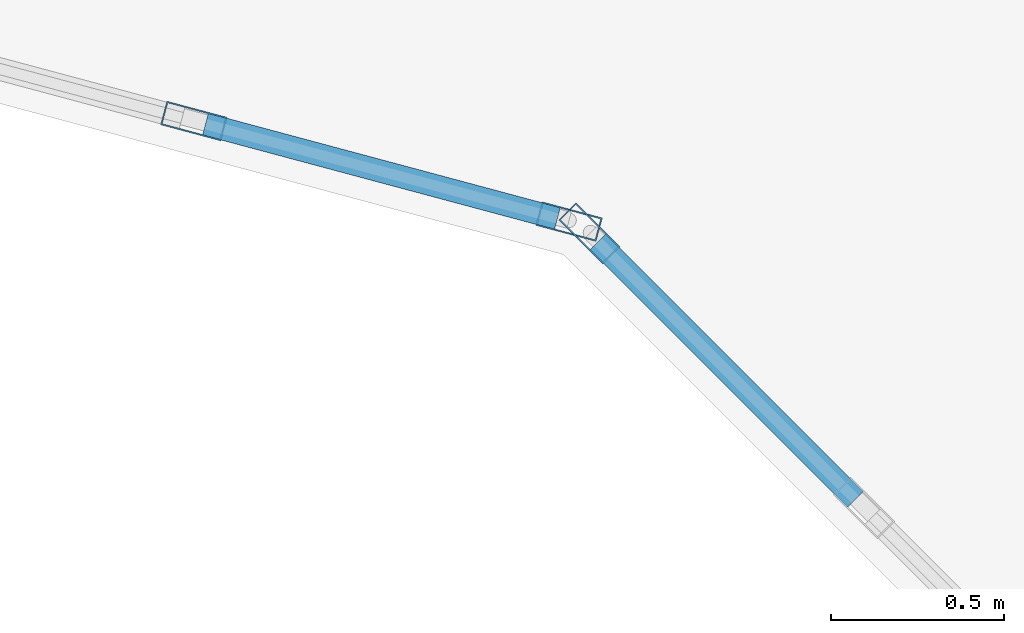
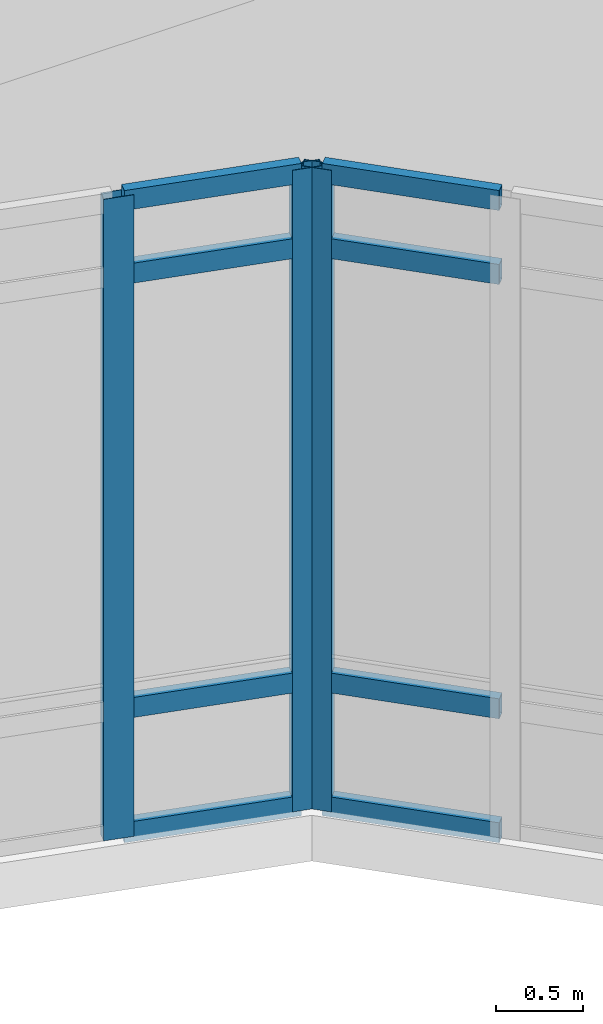
# One storey, part 25 of 138: 11 members, 2 elements without a shape of their own.
"""IFC4 building model written with IfcOpenShell, lengths in metres."""

from ifc_helpers import new_model, si_unit, direction, frame, origin, origin_2d, place, context, subcontext, project, spatial, hollow_rectangle, extrude, material, layer, layer_set, material_profile, profile_set, type_object, element, aggregate, save


model = new_model("IFC4")

# Units and contexts
model_context = context("Model", 3, precision=1e-05, world=origin(), true_north=direction((0.0, 1.0)))
body_context = subcontext(model_context, "Body", "Model", "MODEL_VIEW")
ifc_project = project(units=[si_unit("LENGTHUNIT", "METRE"), si_unit("AREAUNIT", "SQUARE_METRE"), si_unit("VOLUMEUNIT", "CUBIC_METRE"), si_unit("PLANEANGLEUNIT", "RADIAN"), si_unit("MASSUNIT", "GRAM", prefix="KILO")], contexts=[model_context])

# Site, building, storey
site_placement = place(None, origin())
site = spatial("IfcSite", under=ifc_project, at=site_placement, CompositionType="ELEMENT")
building_placement = place(site_placement, origin())
building = spatial("IfcBuilding", under=site, at=building_placement, Name="Bramfleet General Hospital", CompositionType="ELEMENT")
storey_placement = place(building_placement, origin())
storey = spatial("IfcBuildingStorey", under=building, at=storey_placement, Name="L00", CompositionType="ELEMENT", Elevation=0.0)

# Curtain wall, member
ifc_material_1 = material(Name="Anodised aluminium and low-E triple glazing", Category="aluminium")
ifc_layer_1 = layer(ifc_material_1, 0.179931640625, Name="CWT-CW-12")
ifc_layer_set_1 = layer_set([ifc_layer_1], Name="Anodised aluminium and low-E triple glazing")
curtain_wall_type_1 = type_object("IfcCurtainWallType", Name="CWT-CW-12", PredefinedType="USERDEFINED", material=ifc_layer_set_1)
curtain_wall_1_placement = place(storey_placement, origin())
curtain_wall_1 = element("IfcCurtainWall", 1, at=curtain_wall_1_placement, inside=storey, type_object=curtain_wall_type_1, Name="L00 West Clinical Light Court Curtain Wall 8.1", ObjectType="Stick curtain wall", PredefinedType="USERDEFINED")
ifc_material_2 = material(Name="Anodised aluminium EN AW-6060", Category="aluminium")
ifc_material_profile_1 = material_profile(ifc_material_2, hollow_rectangle(XDim=0.070068359375, YDim=0.179931640625, WallThickness=0.00390625, at=origin_2d()), Name="ALU 180x70x4.0")
ifc_profile_set_1 = profile_set([ifc_material_profile_1], Name="Anodised aluminium EN AW-6060")
member_type_1 = type_object("IfcMemberType", Name="CWM-ALU180", PredefinedType="MULLION", material=ifc_profile_set_1)
member_1_placement = place(storey_placement, frame((28.57470703125, 89.77734375, 0.0), z_axis=(0.0, 0.0, 1.0), x_axis=(-0.707106781187, -0.707106781187, 0.0)))
member_1 = element("IfcMember", 2, at=member_1_placement, type_object=member_type_1, Name="CW-12 mullion 4", PredefinedType="MULLION", context=body_context, shape_type="SweptSolid", body=[
    extrude(hollow_rectangle(XDim=0.070068359375, YDim=0.179931640625, WallThickness=0.00390625, at=origin_2d()), origin(), (0.0, 0.0, 1.0), 4.489990234375),
])

# Curtain wall, members
ifc_layer_2 = layer(ifc_material_1, 0.179931640625, Name="CWT-CW-13")
ifc_layer_set_2 = layer_set([ifc_layer_2], Name="Anodised aluminium and low-E triple glazing")
curtain_wall_type_2 = type_object("IfcCurtainWallType", Name="CWT-CW-13", PredefinedType="USERDEFINED", material=ifc_layer_set_2)
curtain_wall_2_placement = place(storey_placement, origin())
curtain_wall_2 = element("IfcCurtainWall", 3, at=curtain_wall_2_placement, inside=storey, type_object=curtain_wall_type_2, Name="L00 West Clinical Light Court Curtain Wall 9.1", ObjectType="Stick curtain wall", PredefinedType="USERDEFINED")
member_2_placement = place(storey_placement, frame((28.51611328125, 89.81103515625, 0.0), z_axis=(0.0, 0.0, 1.0), x_axis=(-0.25891863407, -0.965899136003, 0.0)))
member_2 = element("IfcMember", 4, at=member_2_placement, type_object=member_type_1, Name="CW-13 mullion 1", PredefinedType="MULLION", context=body_context, shape_type="SweptSolid", body=[
    extrude(hollow_rectangle(XDim=0.070068359375, YDim=0.179931640625, WallThickness=0.00390625, at=origin_2d()), origin(), (0.0, 0.0, 1.0), 4.489990234375),
])
member_3_placement = place(storey_placement, frame((27.433349609375, 90.101318359375, 0.0), z_axis=(0.0, 0.0, 1.0), x_axis=(-0.25891863407, -0.965899136003, 0.0)))
member_3 = element("IfcMember", 5, at=member_3_placement, type_object=member_type_1, Name="CW-13 mullion 2", PredefinedType="MULLION", context=body_context, shape_type="SweptSolid", body=[
    extrude(hollow_rectangle(XDim=0.070068359375, YDim=0.179931640625, WallThickness=0.00390625, at=origin_2d()), origin(), (0.0, 0.0, 1.0), 4.489990234375),
])

# Member
ifc_material_profile_2 = material_profile(ifc_material_2, hollow_rectangle(XDim=0.06494140625, YDim=0.139892578125, WallThickness=0.00390625, at=origin_2d()), Name="ALU 140x65x4.0")
ifc_profile_set_2 = profile_set([ifc_material_profile_2], Name="Anodised aluminium EN AW-6060")
member_type_2 = type_object("IfcMemberType", Name="CWT-ALU140", PredefinedType="USERDEFINED", material=ifc_profile_set_2)
member_4_placement = place(storey_placement, frame((29.342529296875, 89.009521484375, 0.032470703125), z_axis=(-0.707106781187, 0.707106781187, 0.0), x_axis=(-0.707106781187, -0.707106781187, 0.0)))
member_4 = element("IfcMember", 6, at=member_4_placement, type_object=member_type_2, Name="CW-12 transom 3.1", ObjectType="TRANSOM", PredefinedType="USERDEFINED", context=body_context, shape_type="SweptSolid", body=[
    extrude(hollow_rectangle(XDim=0.06494140625, YDim=0.139892578125, WallThickness=0.00390625, at=origin_2d()), origin(), (0.0, 0.0, 1.0), 1.050537109375),
])

member_5_placement = place(storey_placement, frame((29.342529296875, 89.009521484375, 0.89990234375), z_axis=(-0.707106781187, 0.707106781187, 0.0), x_axis=(-0.707106781187, -0.707106781187, 0.0)))
member_5 = element("IfcMember", 7, at=member_5_placement, type_object=member_type_2, Name="CW-12 transom 3.2", ObjectType="TRANSOM", PredefinedType="USERDEFINED", context=body_context, shape_type="SweptSolid", body=[
    extrude(hollow_rectangle(XDim=0.06494140625, YDim=0.139892578125, WallThickness=0.00390625, at=origin_2d()), origin(), (0.0, 0.0, 1.0), 1.050537109375),
])

member_6_placement = place(storey_placement, frame((29.342529296875, 89.009521484375, 3.93994140625), z_axis=(-0.707106781187, 0.707106781187, 0.0), x_axis=(-0.707106781187, -0.707106781187, 0.0)))
member_6 = element("IfcMember", 8, at=member_6_placement, type_object=member_type_2, Name="CW-12 transom 3.3", ObjectType="TRANSOM", PredefinedType="USERDEFINED", context=body_context, shape_type="SweptSolid", body=[
    extrude(hollow_rectangle(XDim=0.06494140625, YDim=0.139892578125, WallThickness=0.00390625, at=origin_2d()), origin(), (0.0, 0.0, 1.0), 1.050537109375),
])

member_7_placement = place(storey_placement, frame((29.342529296875, 89.009521484375, 4.45751953125), z_axis=(-0.707106781187, 0.707106781187, 0.0), x_axis=(-0.707106781187, -0.707106781187, 0.0)))
member_7 = element("IfcMember", 9, at=member_7_placement, type_object=member_type_2, Name="CW-12 transom 3.4", ObjectType="TRANSOM", PredefinedType="USERDEFINED", context=body_context, shape_type="SweptSolid", body=[
    extrude(hollow_rectangle(XDim=0.06494140625, YDim=0.139892578125, WallThickness=0.00390625, at=origin_2d()), origin(), (0.0, 0.0, 1.0), 1.050537109375),
])

aggregate(curtain_wall_1, [member_1, member_4, member_5, member_6, member_7])

member_8_placement = place(storey_placement, frame((28.482421875, 89.820068359375, 0.032470703125), z_axis=(-0.965891021523, 0.258948903342, 0.0), x_axis=(-0.258948903342, -0.965891021523, 0.0)))
member_8 = element("IfcMember", 10, at=member_8_placement, type_object=member_type_2, Name="CW-13 transom 1.1", ObjectType="TRANSOM", PredefinedType="USERDEFINED", context=body_context, shape_type="SweptSolid", body=[
    extrude(hollow_rectangle(XDim=0.06494140625, YDim=0.139892578125, WallThickness=0.00390625, at=origin_2d()), origin(), (0.0, 0.0, 1.0), 1.05126953125),
])

member_9_placement = place(storey_placement, frame((28.482421875, 89.820068359375, 0.89990234375), z_axis=(-0.965891021523, 0.258948903342, 0.0), x_axis=(-0.258948903342, -0.965891021523, 0.0)))
member_9 = element("IfcMember", 11, at=member_9_placement, type_object=member_type_2, Name="CW-13 transom 1.2", ObjectType="TRANSOM", PredefinedType="USERDEFINED", context=body_context, shape_type="SweptSolid", body=[
    extrude(hollow_rectangle(XDim=0.06494140625, YDim=0.139892578125, WallThickness=0.00390625, at=origin_2d()), origin(), (0.0, 0.0, 1.0), 1.05126953125),
])

member_10_placement = place(storey_placement, frame((28.482421875, 89.820068359375, 3.93994140625), z_axis=(-0.965891021523, 0.258948903342, 0.0), x_axis=(-0.258948903342, -0.965891021523, 0.0)))
member_10 = element("IfcMember", 12, at=member_10_placement, type_object=member_type_2, Name="CW-13 transom 1.3", ObjectType="TRANSOM", PredefinedType="USERDEFINED", context=body_context, shape_type="SweptSolid", body=[
    extrude(hollow_rectangle(XDim=0.06494140625, YDim=0.139892578125, WallThickness=0.00390625, at=origin_2d()), origin(), (0.0, 0.0, 1.0), 1.05126953125),
])

member_11_placement = place(storey_placement, frame((28.482421875, 89.820068359375, 4.45751953125), z_axis=(-0.965891021523, 0.258948903342, 0.0), x_axis=(-0.258948903342, -0.965891021523, 0.0)))
member_11 = element("IfcMember", 13, at=member_11_placement, type_object=member_type_2, Name="CW-13 transom 1.4", ObjectType="TRANSOM", PredefinedType="USERDEFINED", context=body_context, shape_type="SweptSolid", body=[
    extrude(hollow_rectangle(XDim=0.06494140625, YDim=0.139892578125, WallThickness=0.00390625, at=origin_2d()), origin(), (0.0, 0.0, 1.0), 1.05126953125),
])

aggregate(curtain_wall_2, [member_2, member_3, member_8, member_9, member_10, member_11])

save(model, "model.ifc")
